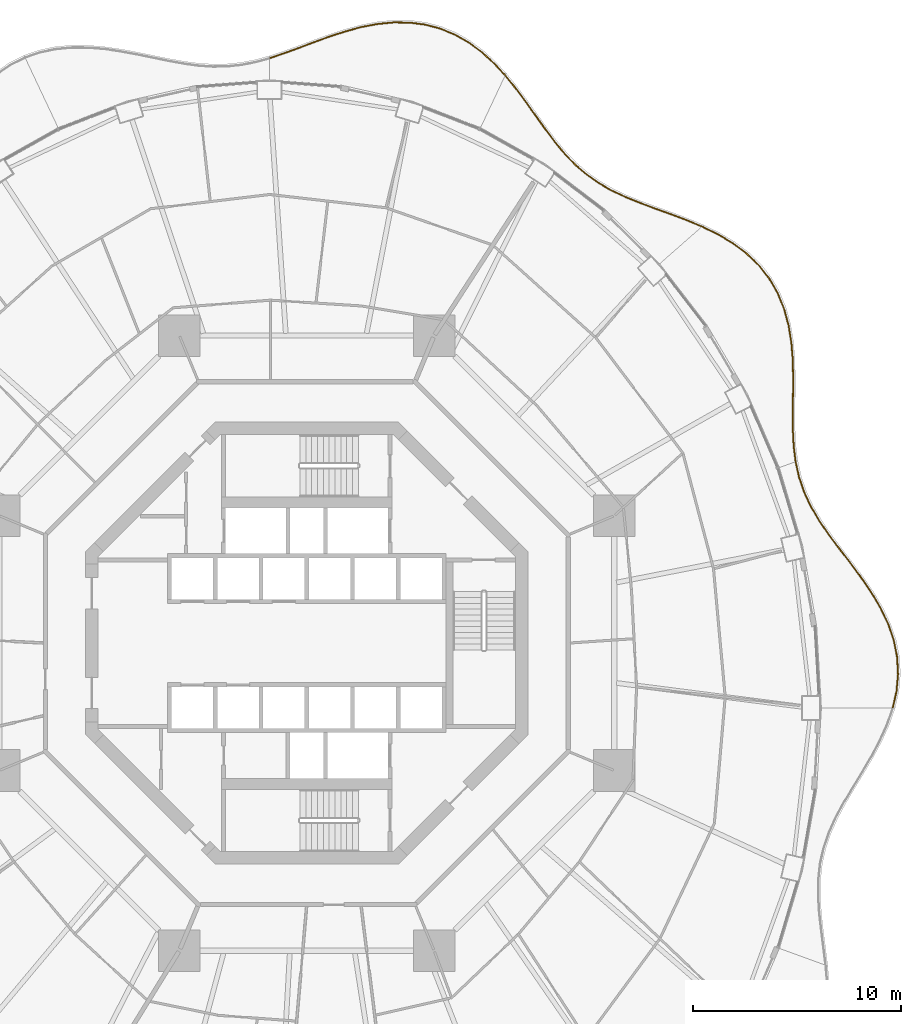
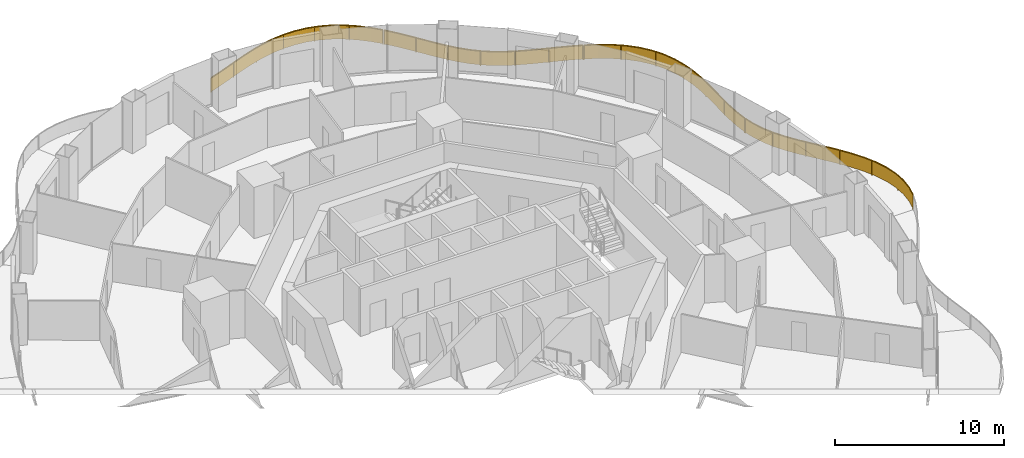
# One storey, part 20 of 20: 4 railings.
"""IFC4 building model written with IfcOpenShell, lengths in metres."""

from ifc_helpers import new_model, si_unit, direction, frame, origin, origin_2d, place, context, subcontext, project, spatial, polyline, rectangle, outline, extrude, material, type_object, element, save


model = new_model("IFC4")

# Units and contexts
model_context = context("Model", 3, precision=1e-05, world=origin(), true_north=direction((0.0, 1.0)))
body_context = subcontext(model_context, "Body", "Model", "MODEL_VIEW")
ifc_project = project(units=[si_unit("LENGTHUNIT", "METRE"), si_unit("AREAUNIT", "SQUARE_METRE"), si_unit("VOLUMEUNIT", "CUBIC_METRE"), si_unit("PLANEANGLEUNIT", "RADIAN"), si_unit("MASSUNIT", "GRAM", prefix="KILO")], contexts=[model_context])

# Site, building, storey
site_placement = place(None, origin())
site = spatial("IfcSite", under=ifc_project, at=site_placement, CompositionType="ELEMENT")
building_placement = place(site_placement, origin())
building = spatial("IfcBuilding", under=site, at=building_placement, Name="Nagisa Residences", CompositionType="ELEMENT")
storey_placement = place(building_placement, frame((0.0, 0.0, 145.5)))
storey = spatial("IfcBuildingStorey", under=building, at=storey_placement, Name="L36", CompositionType="ELEMENT", Elevation=145.5)

# Railings
ifc_material = material(Name="Stainless steel 316", Category="steel")
railing_type = type_object("IfcRailingType", Name="BALCONY GUARD 1100", PredefinedType="BALUSTRADE", material=ifc_material)
railing_1_placement = place(storey_placement, frame((28.171630859375, -3.080078125, 0.0)))
element("IfcRailing", 1, at=railing_1_placement, inside=storey, type_object=railing_type, Name="guard:L36:bal00-0", PredefinedType="BALUSTRADE", context=body_context, shape_type="SweptSolid", body=[
    extrude(outline(polyline([(0.1494140625, 0.7763671875), (-0.0244140625, 0.005615234375), (0.0244140625, -0.005615234375), (0.19921875, 0.7685546875), (0.271484375, 1.5927734375), (0.226318359375, 2.41455078125), (0.063720703125, 3.226318359375), (-0.208740234375, 4.02197265625), (-0.575439453125, 4.782958984375), (-1.02001953125, 5.5341796875), (-1.51806640625, 6.26123046875), (-2.04345703125, 6.966064453125), (-2.570556640625, 7.6533203125), (-3.0712890625, 8.315673828125), (-3.529541015625, 8.988037109375), (-3.925537109375, 9.66552734375), (-4.24755859375, 10.356689453125), (-4.490234375, 11.0703125), (-4.646240234375, 11.77197265625), (-4.695068359375, 11.76123046875), (-4.53857421875, 11.056640625), (-4.2939453125, 10.338134765625), (-3.969970703125, 9.64208984375), (-3.572021484375, 8.961181640625), (-3.11181640625, 8.286376953125), (-2.610595703125, 7.623046875), (-2.08349609375, 6.935791015625), (-1.55859375, 6.23193359375), (-1.06201171875, 5.50732421875), (-0.619384765625, 4.759521484375), (-0.255126953125, 4.0029296875), (0.015380859375, 3.213134765625), (0.176513671875, 2.408203125), (0.22119140625, 1.59375), (0.1494140625, 0.7763671875)])), frame((0.0, 0.0, 1.050048828125)), (0.0, 0.0, 1.0), 0.050048828125),
    extrude(outline(polyline([(0.16748046875, 0.7734375), (-0.0068359375, 0.00146484375), (0.0068359375, -0.00146484375), (0.18115234375, 0.771484375), (0.25341796875, 1.59326171875), (0.20849609375, 2.412353515625), (0.04638671875, 3.221435546875), (-0.225341796875, 4.01513671875), (-0.59130859375, 4.774658203125), (-1.03515625, 5.5244140625), (-1.53271484375, 6.250732421875), (-2.057861328125, 6.955078125), (-2.5849609375, 7.642333984375), (-3.0859375, 8.30517578125), (-3.544921875, 8.978271484375), (-3.941650390625, 9.656982421875), (-4.26416015625, 10.35009765625), (-4.507568359375, 11.0654296875), (-4.663818359375, 11.76806640625), (-4.677490234375, 11.76513671875), (-4.521240234375, 11.0615234375), (-4.27734375, 10.3447265625), (-3.953857421875, 9.650634765625), (-3.556640625, 8.970947265625), (-3.09716796875, 8.296875), (-2.59619140625, 7.634033203125), (-2.069091796875, 6.94677734375), (-1.5439453125, 6.242431640625), (-1.046875, 5.51708984375), (-0.603515625, 4.767822265625), (-0.238525390625, 4.009765625), (0.03271484375, 3.218017578125), (0.1943359375, 2.410400390625), (0.2392578125, 1.59326171875), (0.16748046875, 0.7734375)])), frame((0.0, 0.0, 0.06005859375)), (0.0, 0.0, 1.0), 0.989990234375),
    extrude(rectangle(XDim=0.0400390625, YDim=0.0400390625, at=origin_2d()), origin(), (0.0, 0.0, 1.0), 1.050048828125),
    extrude(rectangle(XDim=0.0400390625, YDim=0.0400390625, at=origin_2d()), frame((0.215087890625, 2.16162109375, 0.0)), (0.0, 0.0, 1.0), 1.050048828125),
    extrude(rectangle(XDim=0.0400390625, YDim=0.0400390625, at=origin_2d()), frame((-0.35009765625, 4.2578125, 0.0)), (0.0, 0.0, 1.0), 1.050048828125),
    extrude(rectangle(XDim=0.0400390625, YDim=0.0400390625, at=origin_2d()), frame((-1.461669921875, 6.134765625, 0.0)), (0.0, 0.0, 1.0), 1.050048828125),
    extrude(rectangle(XDim=0.0400390625, YDim=0.0400390625, at=origin_2d()), frame((-2.774169921875, 7.881103515625, 0.0)), (0.0, 0.0, 1.0), 1.050048828125),
    extrude(rectangle(XDim=0.0400390625, YDim=0.0400390625, at=origin_2d()), frame((-3.9716796875, 9.705322265625, 0.0)), (0.0, 0.0, 1.0), 1.050048828125),
    extrude(rectangle(XDim=0.0400390625, YDim=0.0400390625, at=origin_2d()), frame((-4.670654296875, 11.7666015625, 0.0)), (0.0, 0.0, 1.0), 1.050048828125),
])
railing_2_placement = place(storey_placement, frame((23.49072265625, 8.756103515625, 0.0)))
element("IfcRailing", 2, at=railing_2_placement, inside=storey, type_object=railing_type, Name="guard:L36:bal01-0", PredefinedType="BALUSTRADE", context=body_context, shape_type="SweptSolid", body=[
    extrude(outline(polyline([(-0.11279296875, 0.7080078125), (-0.02490234375, -0.003173828125), (0.02490234375, 0.003173828125), (-0.06298828125, 0.71240234375), (-0.103759765625, 1.493896484375), (-0.10791015625, 2.30517578125), (-0.096435546875, 3.140625), (-0.08984375, 3.99267578125), (-0.10498046875, 4.837890625), (-0.1748046875, 5.690673828125), (-0.311767578125, 6.52392578125), (-0.530029296875, 7.3251953125), (-0.83935546875, 8.08154296875), (-1.23681640625, 8.771240234375), (-1.736083984375, 9.40771484375), (-2.323974609375, 9.97705078125), (-2.989501953125, 10.47802734375), (-3.716796875, 10.9140625), (-4.4482421875, 11.270263671875), (-4.47021484375, 11.225341796875), (-3.74072265625, 10.8701171875), (-3.017333984375, 10.4365234375), (-2.356689453125, 9.93896484375), (-1.773193359375, 9.3740234375), (-1.2783203125, 8.742919921875), (-0.88427734375, 8.0595703125), (-0.577392578125, 7.30908203125), (-0.360595703125, 6.51318359375), (-0.224609375, 5.684326171875), (-0.15478515625, 4.83544921875), (-0.14013671875, 3.9921875), (-0.146240234375, 3.14111328125), (-0.158203125, 2.30517578125), (-0.153564453125, 1.492431640625), (-0.11279296875, 0.7080078125)])), frame((0.0, 0.0, 1.050048828125)), (0.0, 0.0, 1.0), 0.050048828125),
    extrude(outline(polyline([(-0.094970703125, 0.70947265625), (-0.0068359375, -0.0009765625), (0.0068359375, 0.0009765625), (-0.080810546875, 0.7109375), (-0.12158203125, 1.493408203125), (-0.1259765625, 2.30517578125), (-0.1142578125, 3.140869140625), (-0.10791015625, 3.992431640625), (-0.122802734375, 4.8369140625), (-0.19287109375, 5.6884765625), (-0.329345703125, 6.52001953125), (-0.547119140625, 7.3193359375), (-0.85546875, 8.07373046875), (-1.251708984375, 8.760986328125), (-1.74951171875, 9.3955078125), (-2.335693359375, 9.96337890625), (-2.99951171875, 10.463134765625), (-3.725341796875, 10.898193359375), (-4.4560546875, 11.254150390625), (-4.46240234375, 11.241455078125), (-3.732177734375, 10.885986328125), (-3.00732421875, 10.451416015625), (-2.344970703125, 9.95263671875), (-1.759765625, 9.38623046875), (-1.263427734375, 8.753173828125), (-0.8681640625, 8.0673828125), (-0.560302734375, 7.31494140625), (-0.343017578125, 6.51708984375), (-0.20654296875, 5.6865234375), (-0.136962890625, 4.83642578125), (-0.1220703125, 3.992431640625), (-0.12841796875, 3.140869140625), (-0.14013671875, 2.30517578125), (-0.1357421875, 1.492919921875), (-0.094970703125, 0.70947265625)])), frame((0.0, 0.0, 0.06005859375)), (0.0, 0.0, 1.0), 0.989990234375),
    extrude(rectangle(XDim=0.0400390625, YDim=0.0400390625, at=origin_2d()), origin(), (0.0, 0.0, 1.0), 1.050048828125),
    extrude(rectangle(XDim=0.0400390625, YDim=0.0400390625, at=origin_2d()), frame((-0.13232421875, 2.173828125, 0.0)), (0.0, 0.0, 1.0), 1.050048828125),
    extrude(rectangle(XDim=0.0400390625, YDim=0.0400390625, at=origin_2d()), frame((-0.121337890625, 4.35400390625, 0.0)), (0.0, 0.0, 1.0), 1.050048828125),
    extrude(rectangle(XDim=0.0400390625, YDim=0.0400390625, at=origin_2d()), frame((-0.336669921875, 6.520263671875, 0.0)), (0.0, 0.0, 1.0), 1.050048828125),
    extrude(rectangle(XDim=0.0400390625, YDim=0.0400390625, at=origin_2d()), frame((-1.1318359375, 8.538818359375, 0.0)), (0.0, 0.0, 1.0), 1.050048828125),
    extrude(rectangle(XDim=0.0400390625, YDim=0.0400390625, at=origin_2d()), frame((-2.586181640625, 10.14306640625, 0.0)), (0.0, 0.0, 1.0), 1.050048828125),
    extrude(rectangle(XDim=0.0400390625, YDim=0.0400390625, at=origin_2d()), frame((-4.459228515625, 11.247802734375, 0.0)), (0.0, 0.0, 1.0), 1.050048828125),
])
railing_3_placement = place(storey_placement, frame((18.960693359375, 20.03466796875, 0.0)))
element("IfcRailing", 3, at=railing_3_placement, inside=storey, type_object=railing_type, Name="guard:L36:bal02-0", PredefinedType="BALUSTRADE", context=body_context, shape_type="SweptSolid", body=[
    extrude(outline(polyline([(-0.726806640625, 0.274658203125), (-0.009521484375, -0.023193359375), (0.009521484375, 0.023193359375), (-0.708251953125, 0.321044921875), (-1.474609375, 0.6103515625), (-2.232421875, 0.88427734375), (-2.967529296875, 1.157958984375), (-3.66943359375, 1.4462890625), (-4.318115234375, 1.752197265625), (-4.934814453125, 2.108642578125), (-5.507080078125, 2.513916015625), (-6.0390625, 2.97314453125), (-6.537353515625, 3.487548828125), (-6.997802734375, 4.04541015625), (-7.458984375, 4.656982421875), (-7.919677734375, 5.3017578125), (-8.3916015625, 5.964599609375), (-8.885986328125, 6.6279296875), (-9.380615234375, 7.237548828125), (-9.419677734375, 7.205810546875), (-8.925537109375, 6.59716796875), (-8.43212890625, 5.935302734375), (-7.960205078125, 5.2724609375), (-7.49951171875, 4.627197265625), (-7.036865234375, 4.01416015625), (-6.574462890625, 3.454345703125), (-6.0732421875, 2.9365234375), (-5.537841796875, 2.474365234375), (-4.961669921875, 2.066650390625), (-4.341552734375, 1.707763671875), (-3.689453125, 1.400390625), (-2.985595703125, 1.111572265625), (-2.24951171875, 0.83740234375), (-1.4921875, 0.5634765625), (-0.726806640625, 0.274658203125)])), frame((0.0, 0.0, 1.050048828125)), (0.0, 0.0, 1.0), 0.050048828125),
    extrude(outline(polyline([(-0.72021484375, 0.291259765625), (-0.002685546875, -0.00634765625), (0.002685546875, 0.00634765625), (-0.71484375, 0.304443359375), (-1.48095703125, 0.593505859375), (-2.238525390625, 0.867431640625), (-2.97412109375, 1.141357421875), (-3.676513671875, 1.4296875), (-4.32666015625, 1.736083984375), (-4.944580078125, 2.093505859375), (-5.51806640625, 2.499755859375), (-6.05126953125, 2.9599609375), (-6.55078125, 3.4755859375), (-7.01171875, 4.0341796875), (-7.4736328125, 4.646240234375), (-7.934326171875, 5.291259765625), (-8.40625, 5.9541015625), (-8.900146484375, 6.616943359375), (-9.394775390625, 7.22607421875), (-9.405517578125, 7.21728515625), (-8.911376953125, 6.608154296875), (-8.41748046875, 5.94580078125), (-7.945556640625, 5.282958984375), (-7.48486328125, 4.637939453125), (-7.02294921875, 4.025390625), (-6.56103515625, 3.46630859375), (-6.06103515625, 2.94970703125), (-5.52685546875, 2.488525390625), (-4.951904296875, 2.081787109375), (-4.3330078125, 1.723876953125), (-3.682373046875, 1.4169921875), (-2.97900390625, 1.128173828125), (-2.243408203125, 0.854248046875), (-1.48583984375, 0.580322265625), (-0.72021484375, 0.291259765625)])), frame((0.0, 0.0, 0.06005859375)), (0.0, 0.0, 1.0), 0.989990234375),
    extrude(rectangle(XDim=0.0400390625, YDim=0.0400390625, at=origin_2d()), origin(), (0.0, 0.0, 1.0), 1.050048828125),
    extrude(rectangle(XDim=0.0400390625, YDim=0.0400390625, at=origin_2d()), frame((-1.8974609375, 0.736572265625, 0.0)), (0.0, 0.0, 1.0), 1.050048828125),
    extrude(rectangle(XDim=0.0400390625, YDim=0.0400390625, at=origin_2d()), frame((-3.793212890625, 1.47705078125, 0.0)), (0.0, 0.0, 1.0), 1.050048828125),
    extrude(rectangle(XDim=0.0400390625, YDim=0.0400390625, at=origin_2d()), frame((-5.541259765625, 2.51025390625, 0.0)), (0.0, 0.0, 1.0), 1.050048828125),
    extrude(rectangle(XDim=0.0400390625, YDim=0.0400390625, at=origin_2d()), frame((-6.961669921875, 3.96240234375, 0.0)), (0.0, 0.0, 1.0), 1.050048828125),
    extrude(rectangle(XDim=0.0400390625, YDim=0.0400390625, at=origin_2d()), frame((-8.165283203125, 5.603759765625, 0.0)), (0.0, 0.0, 1.0), 1.050048828125),
    extrude(rectangle(XDim=0.0400390625, YDim=0.0400390625, at=origin_2d()), frame((-9.400146484375, 7.2216796875, 0.0)), (0.0, 0.0, 1.0), 1.050048828125),
])
railing_4_placement = place(storey_placement, frame((9.5107421875, 27.315185546875, 0.0)))
element("IfcRailing", 4, at=railing_4_placement, inside=storey, type_object=railing_type, Name="guard:L36:bal03-0", PredefinedType="BALUSTRADE", context=body_context, shape_type="SweptSolid", body=[
    extrude(outline(polyline([(-0.527587890625, 0.533935546875), (-0.018310546875, -0.01708984375), (0.018310546875, 0.01708984375), (-0.492431640625, 0.569580078125), (-1.078369140625, 1.1015625), (-1.70654296875, 1.565673828125), (-2.3759765625, 1.948486328125), (-3.082763671875, 2.241455078125), (-3.8046875, 2.43359375), (-4.56787109375, 2.533935546875), (-5.34716796875, 2.541748046875), (-6.1337890625, 2.46435546875), (-6.919921875, 2.3134765625), (-7.68115234375, 2.10205078125), (-8.44580078125, 1.8525390625), (-9.19384765625, 1.5810546875), (-9.922607421875, 1.306396484375), (-10.6328125, 1.046875), (-11.284423828125, 0.830322265625), (-11.268798828125, 0.782958984375), (-10.6162109375, 0.99951171875), (-9.905029296875, 1.259521484375), (-9.17626953125, 1.5341796875), (-8.4296875, 1.80517578125), (-7.66650390625, 2.05419921875), (-6.90869140625, 2.2646484375), (-6.12646484375, 2.41455078125), (-5.3447265625, 2.491455078125), (-4.5712890625, 2.484130859375), (-3.814453125, 2.38427734375), (-3.098876953125, 2.194091796875), (-2.39794921875, 1.903564453125), (-1.73388671875, 1.523681640625), (-1.110107421875, 1.06298828125), (-0.527587890625, 0.533935546875)])), frame((0.0, 0.0, 1.050048828125)), (0.0, 0.0, 1.0), 0.050048828125),
    extrude(outline(polyline([(-0.514892578125, 0.546875), (-0.005126953125, -0.004638671875), (0.005126953125, 0.004638671875), (-0.505126953125, 0.556640625), (-1.08984375, 1.087646484375), (-1.71630859375, 1.550537109375), (-2.3837890625, 1.932373046875), (-3.088623046875, 2.224365234375), (-3.80810546875, 2.415771484375), (-4.569091796875, 2.51611328125), (-5.34619140625, 2.523681640625), (-6.131103515625, 2.4462890625), (-6.916015625, 2.2958984375), (-7.67578125, 2.084716796875), (-8.43994140625, 1.83544921875), (-9.1875, 1.564208984375), (-9.916259765625, 1.28955078125), (-10.626708984375, 1.02978515625), (-11.27880859375, 0.813232421875), (-11.2744140625, 0.800048828125), (-10.622314453125, 1.0166015625), (-9.911376953125, 1.2763671875), (-9.1826171875, 1.551025390625), (-8.435546875, 1.822265625), (-7.671875, 2.071533203125), (-6.91259765625, 2.2822265625), (-6.129150390625, 2.4326171875), (-5.345703125, 2.509521484375), (-4.570068359375, 2.501953125), (-3.81103515625, 2.402099609375), (-3.093017578125, 2.211181640625), (-2.39013671875, 1.919677734375), (-1.72412109375, 1.538818359375), (-1.0986328125, 1.076904296875), (-0.514892578125, 0.546875)])), frame((0.0, 0.0, 0.06005859375)), (0.0, 0.0, 1.0), 0.989990234375),
    extrude(rectangle(XDim=0.0400390625, YDim=0.0400390625, at=origin_2d()), origin(), (0.0, 0.0, 1.0), 1.050048828125),
    extrude(rectangle(XDim=0.0400390625, YDim=0.0400390625, at=origin_2d()), frame((-1.50830078125, 1.38818359375, 0.0)), (0.0, 0.0, 1.0), 1.050048828125),
    extrude(rectangle(XDim=0.0400390625, YDim=0.0400390625, at=origin_2d()), frame((-3.34375, 2.284912109375, 0.0)), (0.0, 0.0, 1.0), 1.050048828125),
    extrude(rectangle(XDim=0.0400390625, YDim=0.0400390625, at=origin_2d()), frame((-5.3759765625, 2.513671875, 0.0)), (0.0, 0.0, 1.0), 1.050048828125),
    extrude(rectangle(XDim=0.0400390625, YDim=0.0400390625, at=origin_2d()), frame((-7.39501953125, 2.155517578125, 0.0)), (0.0, 0.0, 1.0), 1.050048828125),
    extrude(rectangle(XDim=0.0400390625, YDim=0.0400390625, at=origin_2d()), frame((-9.341552734375, 1.49853515625, 0.0)), (0.0, 0.0, 1.0), 1.050048828125),
    extrude(rectangle(XDim=0.0400390625, YDim=0.0400390625, at=origin_2d()), frame((-11.276611328125, 0.806640625, 0.0)), (0.0, 0.0, 1.0), 1.050048828125),
])

save(model, "model.ifc")
